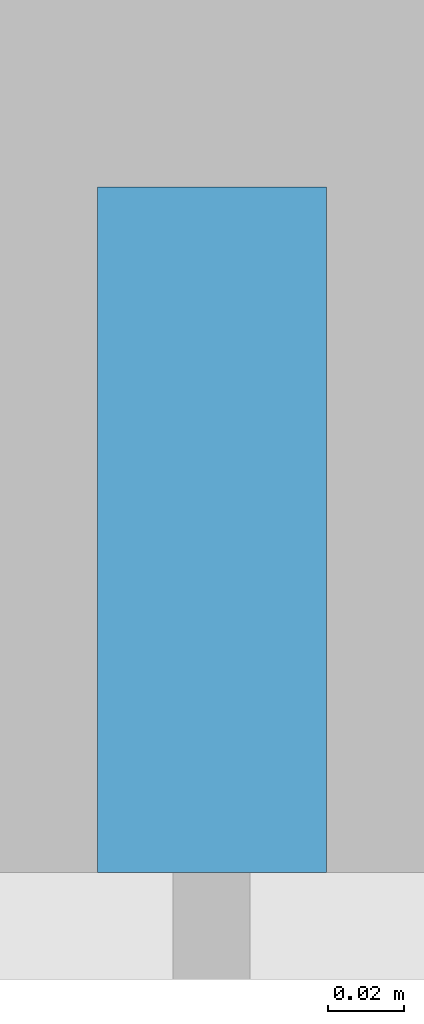
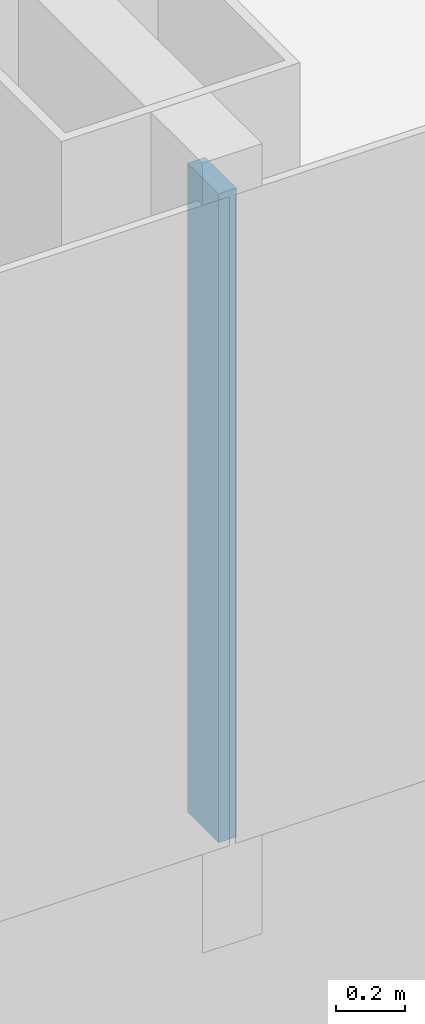
# One storey, part 4 of 29: 1 member, 1 element without a shape of its own.
"""IFC4 building model written with IfcOpenShell, lengths in metres."""

from ifc_helpers import new_model, si_unit, direction, frame, origin, origin_2d, place, context, subcontext, project, spatial, rectangle, extrude, material, layer, layer_set, material_profile, profile_set, type_object, element, aggregate, save


model = new_model("IFC4")

# Units and contexts
model_context = context("Model", 3, precision=1e-05, world=origin(), true_north=direction((0.0, 1.0)))
body_context = subcontext(model_context, "Body", "Model", "MODEL_VIEW")
ifc_project = project(units=[si_unit("LENGTHUNIT", "METRE"), si_unit("AREAUNIT", "SQUARE_METRE"), si_unit("VOLUMEUNIT", "CUBIC_METRE"), si_unit("PLANEANGLEUNIT", "RADIAN"), si_unit("MASSUNIT", "GRAM", prefix="KILO")], contexts=[model_context])

# Site, building, storey
site_placement = place(None, origin())
site = spatial("IfcSite", under=ifc_project, at=site_placement, CompositionType="ELEMENT")
building_placement = place(site_placement, origin())
building = spatial("IfcBuilding", under=site, at=building_placement, Name="Hakoniwa Tower and Hamabe Station Hall", CompositionType="ELEMENT")
storey_placement = place(building_placement, frame((0.0, 0.0, 110.60009765625)))
storey = spatial("IfcBuildingStorey", under=building, at=storey_placement, Name="L31", CompositionType="ELEMENT", Elevation=110.60009765625)

# Curtain wall, member
ifc_material_1 = material(Name="Dark low-e laminated glass", Category="glass")
ifc_layer = layer(ifc_material_1, 0.199951171875)
ifc_layer_set = layer_set([ifc_layer], Name="CW-1 UNITISED GUEST")
curtain_wall_type = type_object("IfcCurtainWallType", Name="CW-1 UNITISED GUEST", PredefinedType="NOTDEFINED", material=ifc_layer_set)
curtain_wall_placement = place(storey_placement, origin())
curtain_wall = element("IfcCurtainWall", 1, at=curtain_wall_placement, inside=storey, type_object=curtain_wall_type, Name="CW-1 curtain wall", PredefinedType="NOTDEFINED")
ifc_material_2 = material(Name="Aluminium 6063-T5 black anodised", Category="aluminium")
ifc_material_profile = material_profile(ifc_material_2, rectangle(XDim=0.06005859375, YDim=0.179931640625, at=origin_2d()), Name="CW-1 MULLION 60X180")
ifc_profile_set = profile_set([ifc_material_profile], Name="Aluminium 6063-T5 black anodised")
member_type = type_object("IfcMemberType", Name="CW-1 MULLION 60X180", PredefinedType="MULLION", material=ifc_profile_set)
member_placement = place(storey_placement, frame((-8.39990234375, -15.431884765625, 0.349853515625), z_axis=(0.0, 0.0, 1.0), x_axis=(1.0, 0.0, 0.0)))
member = element("IfcMember", 2, at=member_placement, type_object=member_type, Name="CW-1 mullion", PredefinedType="MULLION", context=body_context, shape_type="SweptSolid", body=[
    extrude(rectangle(XDim=0.06005859375, YDim=0.179931640625, at=origin_2d()), origin(), (0.0, 0.0, 1.0), 2.300048828125),
])
aggregate(curtain_wall, [member])

save(model, "model.ifc")
